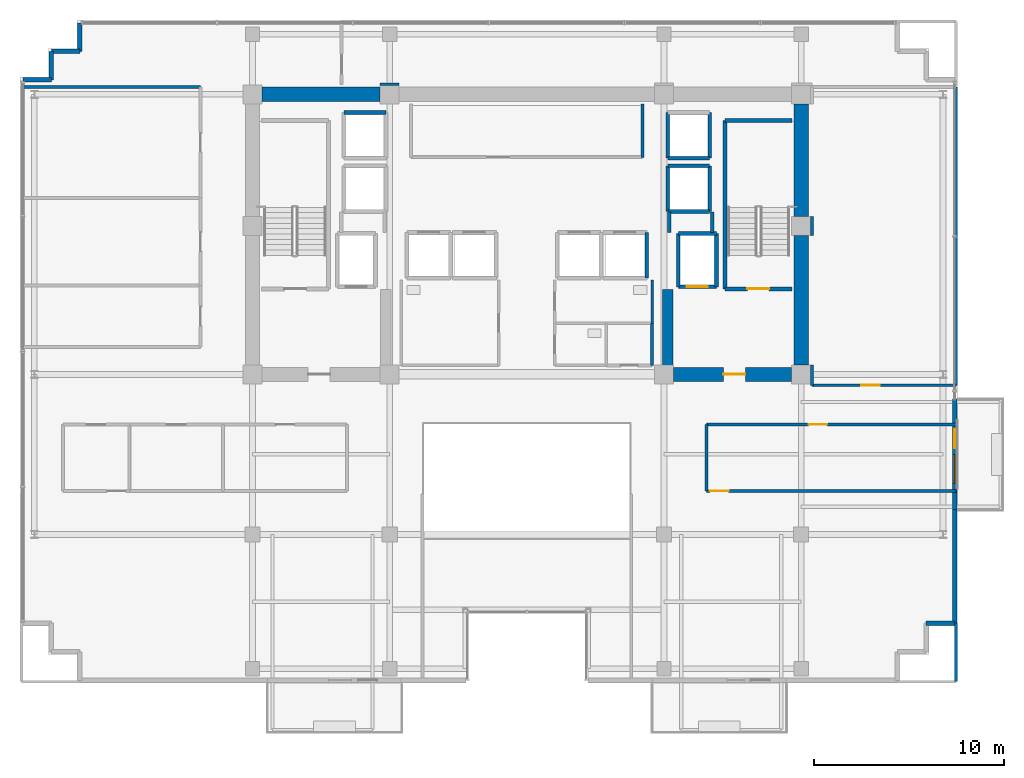
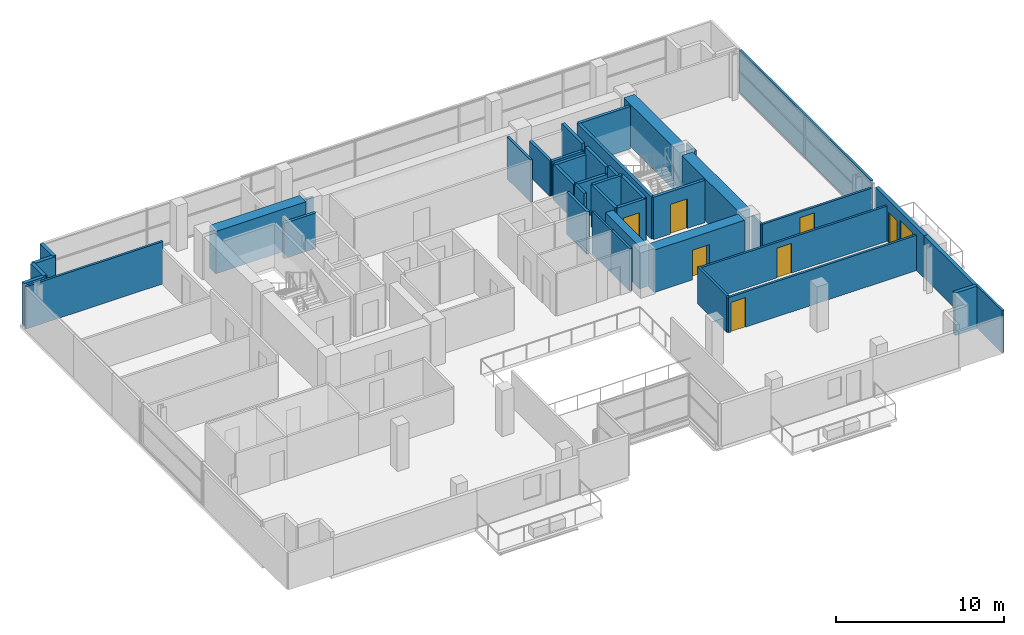
# One storey, part 20 of 25: 43 walls, 7 doors, 1 window, 8 openings.
"""IFC4 building model written with IfcOpenShell, lengths in metres."""

import ifcopenshell
import ifcopenshell.guid

model = None  # the IFC model being written
_history = None  # IfcOwnerHistory: only IFC2X3 demands one
_inside = {}  # id of a spatial element -> (the spatial element, [elements in it])
_under = {}  # id of a project, library or spatial element -> (it, [spatial elements below it])
_declared = {}  # id of a project -> (the project, [libraries it declares])
_typed = {}  # id of a type object -> (the type object, [elements of that type])
_made_of = {}  # id of a material, layer set ... -> (it, [elements and type objects made of it])


def new_model(schema):
    """Start an empty IFC model of exactly this schema.

    Asked for "IFC4X3", IfcOpenShell would pick the latest addendum, in which some entities
    have other attributes; the version numbers below select the first issue.
    IFC2X3 requires an IfcOwnerHistory on every rooted entity: one is made here for all.
    """
    global model, _history
    if schema == "IFC4X3":
        model = ifcopenshell.file(schema_version=(4, 3, 0, 0))
    else:
        model = ifcopenshell.file(schema=schema)
    _inside.clear()
    _under.clear()
    _declared.clear()
    _typed.clear()
    _made_of.clear()
    _history = None
    if model.schema == "IFC2X3":
        org = make("IfcOrganization", Name="unknown")
        user = make(
            "IfcPersonAndOrganization",
            ThePerson=make("IfcPerson", FamilyName="unknown"),
            TheOrganization=org,
        )
        app = make(
            "IfcApplication",
            ApplicationDeveloper=org,
            Version="unknown",
            ApplicationFullName="unknown",
            ApplicationIdentifier="unknown",
        )
        _history = make(
            "IfcOwnerHistory",
            OwningUser=user,
            OwningApplication=app,
            ChangeAction="ADDED",
            CreationDate=0,
        )
    return model


def make(cls, **values):
    """One entity of the class cls with the attributes given. An attribute that is None is left unset."""
    return model.create_entity(
        cls, **{name: value for name, value in values.items() if value is not None}
    )


def rooted(cls, **values):
    """An entity with a GlobalId (a new one), such as an element, a storey or a relation."""
    return make(cls, GlobalId=ifcopenshell.guid.new(), OwnerHistory=_history, **values)


def si_unit(unit_type, name, prefix=None):
    """IfcSIUnit, for example si_unit("LENGTHUNIT", "METRE", prefix="MILLI")."""
    return make("IfcSIUnit", UnitType=unit_type, Prefix=prefix, Name=name)


def assignment(units):
    """IfcUnitAssignment: the units of a project."""
    return None if units is None else make("IfcUnitAssignment", Units=units)


def point(xyz):
    """IfcCartesianPoint."""
    return None if xyz is None else make("IfcCartesianPoint", Coordinates=xyz)


def direction(xyz):
    """IfcDirection."""
    return None if xyz is None else make("IfcDirection", DirectionRatios=xyz)


def frame(location, z_axis=None, x_axis=None):
    """IfcAxis2Placement3D, a coordinate frame: its origin and axes. An axis left out is left unset."""
    return make(
        "IfcAxis2Placement3D",
        Location=point(location),
        Axis=direction(z_axis),
        RefDirection=direction(x_axis),
    )


def frame_2d(location, x_axis=None):
    """IfcAxis2Placement2D, a coordinate frame in the plane: its origin and x axis."""
    return make(
        "IfcAxis2Placement2D", Location=point(location), RefDirection=direction(x_axis)
    )


def origin():
    """The frame at (0, 0, 0) with its axes left unset."""
    return frame((0.0, 0.0, 0.0))


def place(relative_to, where):
    """IfcLocalPlacement: puts the frame where relative to a parent placement (None: the world)."""
    return make(
        "IfcLocalPlacement", PlacementRelTo=relative_to, RelativePlacement=where
    )


def context(
    kind, dimensions, precision=None, world=None, true_north=None, identifier=None
):
    """IfcGeometricRepresentationContext, for example the 3D "Model" context."""
    return make(
        "IfcGeometricRepresentationContext",
        ContextIdentifier=identifier,
        ContextType=kind,
        CoordinateSpaceDimension=dimensions,
        Precision=precision,
        WorldCoordinateSystem=world,
        TrueNorth=true_north,
    )


def subcontext(parent, identifier, kind, view, scale=None):
    """IfcGeometricRepresentationSubContext, for example "Body" below "Model"."""
    return make(
        "IfcGeometricRepresentationSubContext",
        ContextIdentifier=identifier,
        ContextType=kind,
        ParentContext=parent,
        TargetScale=scale,
        TargetView=view,
    )


def project(units=None, contexts=None):
    """IfcProject with its units and contexts."""
    return rooted(
        "IfcProject",
        Name="project",
        RepresentationContexts=contexts,
        UnitsInContext=assignment(units),
    )


def spatial(cls, under=None, at=None, **own):
    """A site, building, storey or space (cls), placed at a placement, below another one or the project."""
    s = rooted(cls, ObjectPlacement=at, **own)
    if under is not None:
        _under.setdefault(under.id(), (under, []))[1].append(s)
    return s


def profile(cls, at=None, kind="AREA", **sizes):
    """A parametric profile (cls). Its sizes go by their IFC names, for example OverallWidth=200.0."""
    return make(cls, ProfileType=kind, Position=at, **sizes)


def rectangle(**sizes):
    """IfcRectangleProfileDef."""
    return profile("IfcRectangleProfileDef", **sizes)


def extrude(swept, where, along, depth):
    """IfcExtrudedAreaSolid: the profile swept, set in the frame where, extruded along a direction by depth."""
    return make(
        "IfcExtrudedAreaSolid",
        SweptArea=swept,
        Position=where,
        ExtrudedDirection=direction(along),
        Depth=depth,
    )


def shape(context_of_items, identifier, shape_type, items):
    """IfcShapeRepresentation: the items that make up one representation, for example the "Body"."""
    return make(
        "IfcShapeRepresentation",
        ContextOfItems=context_of_items,
        RepresentationIdentifier=identifier,
        RepresentationType=shape_type,
        Items=items,
    )


def source(mapping_origin, context_of_items, identifier, shape_type, items):
    """IfcRepresentationMap: a shape defined once, which mapped items show again and again."""
    return make(
        "IfcRepresentationMap",
        MappingOrigin=mapping_origin,
        MappedRepresentation=shape(context_of_items, identifier, shape_type, items),
    )


def transform(
    local_origin,
    x_axis=None,
    y_axis=None,
    z_axis=None,
    scale=None,
    scale2=None,
    scale3=None,
    uniform=True,
):
    """IfcCartesianTransformationOperator3D, or its non-uniform kind. x_axis, y_axis, z_axis: its Axis1, 2, 3."""
    if uniform:
        return make(
            "IfcCartesianTransformationOperator3D",
            Axis1=direction(x_axis),
            Axis2=direction(y_axis),
            LocalOrigin=point(local_origin),
            Scale=scale,
            Axis3=direction(z_axis),
        )
    return make(
        "IfcCartesianTransformationOperator3DnonUniform",
        Axis1=direction(x_axis),
        Axis2=direction(y_axis),
        LocalOrigin=point(local_origin),
        Scale=scale,
        Axis3=direction(z_axis),
        Scale2=scale2,
        Scale3=scale3,
    )


def mapped(mapping_source, mapping_target):
    """IfcMappedItem: shows the shape of a source again, moved by a transform."""
    return make(
        "IfcMappedItem", MappingSource=mapping_source, MappingTarget=mapping_target
    )


def material(Name=None, Category=None):
    """IfcMaterial."""
    return make("IfcMaterial", Name=Name, Category=Category)


def layer(
    of_material, thickness, ventilated=None, Name=None, Category=None, Priority=None
):
    """IfcMaterialLayer: one layer of a wall or slab, of a material (None: an air gap)."""
    return make(
        "IfcMaterialLayer",
        Material=of_material,
        LayerThickness=thickness,
        IsVentilated=ventilated,
        Name=Name,
        Category=Category,
        Priority=Priority,
    )


def layer_set(layers, Name=None):
    """IfcMaterialLayerSet."""
    return make("IfcMaterialLayerSet", MaterialLayers=layers, LayerSetName=Name)


def made_of(thing, what):
    """Note that an element or type object is made of a material, layer set ...; save() writes the relation."""
    if what is not None:
        _made_of.setdefault(what.id(), (what, []))[1].append(thing)
    return thing


def type_object(cls, material=None, **own):
    """A type object (cls), such as IfcWallType, which elements share."""
    return made_of(rooted(cls, **own), material)


def element(
    cls,
    number,
    at=None,
    inside=None,
    cuts=None,
    type_object=None,
    material=None,
    context=None,
    identifier="Body",
    shape_type=None,
    held_by="IfcProductDefinitionShape",
    body=None,
    shapes=None,
    **own,
):
    """One element of the class cls, such as IfcWall. Its Tag is "e" and its number.

    at: its placement. inside: the storey or other place that contains it. cuts: it is an
    opening in that element (IfcRelVoidsElement). A single representation is given by context,
    identifier, shape_type and body (its items); several are given by shapes. held_by: the class
    of the entity that holds the representations. save() writes the other relations.
    """
    e = rooted(cls, Tag="e%d" % number, ObjectPlacement=at, **own)
    if body is not None:
        shapes = [shape(context, identifier, shape_type, body)]
    if shapes is not None:
        e.Representation = make(held_by, Representations=shapes)
    if inside is not None:
        _inside.setdefault(inside.id(), (inside, []))[1].append(e)
    if cuts is not None:
        rooted(
            "IfcRelVoidsElement", RelatingBuildingElement=cuts, RelatedOpeningElement=e
        )
    if type_object is not None:
        _typed.setdefault(type_object.id(), (type_object, []))[1].append(e)
    return made_of(e, material)


def fill(opening, filler):
    """IfcRelFillsElement: the door or window that sits in an opening."""
    return rooted(
        "IfcRelFillsElement",
        RelatingOpeningElement=opening,
        RelatedBuildingElement=filler,
    )


def aggregate(whole, parts):
    """IfcRelAggregates: a whole, such as a stair, and the parts it consists of."""
    return rooted("IfcRelAggregates", RelatingObject=whole, RelatedObjects=parts)


def save(model, path):
    """Write the relations noted so far, then the file.

    IfcRelAggregates (storeys below a building ...), IfcRelContainedInSpatialStructure (elements
    in a storey), IfcRelDefinesByType, IfcRelAssociatesMaterial and IfcRelDeclares: one each for
    every whole, place, type object, material and project.
    """
    for whole, parts in _under.values():
        aggregate(whole, parts)
    for where, things in _inside.values():
        rooted(
            "IfcRelContainedInSpatialStructure",
            RelatedElements=things,
            RelatingStructure=where,
        )
    for kind, things in _typed.values():
        rooted("IfcRelDefinesByType", RelatedObjects=things, RelatingType=kind)
    for what, things in _made_of.values():
        rooted("IfcRelAssociatesMaterial", RelatedObjects=things, RelatingMaterial=what)
    for by, libraries in _declared.values():
        rooted("IfcRelDeclares", RelatingContext=by, RelatedDefinitions=libraries)
    model.write(path)


model = new_model("IFC4")

# Units and contexts
model_context = context("Model", 3, precision=1e-05, world=origin(), true_north=direction((0.0, 1.0)))
body_context = subcontext(model_context, "Body", "Model", "MODEL_VIEW")
ifc_project = project(units=[si_unit("LENGTHUNIT", "METRE"), si_unit("AREAUNIT", "SQUARE_METRE"), si_unit("VOLUMEUNIT", "CUBIC_METRE"), si_unit("PLANEANGLEUNIT", "RADIAN"), si_unit("MASSUNIT", "GRAM", prefix="KILO")], contexts=[model_context])

# Site, building, storey
site_placement = place(None, origin())
site = spatial("IfcSite", under=ifc_project, at=site_placement, CompositionType="ELEMENT")
building_placement = place(site_placement, origin())
building = spatial("IfcBuilding", under=site, at=building_placement, Name="Zarnakvel Exchange Tower", CompositionType="ELEMENT")
storey_placement = place(building_placement, frame((0.0, 0.0, 162.699951171875)))
storey = spatial("IfcBuildingStorey", under=building, at=storey_placement, Name="L45", CompositionType="ELEMENT", Elevation=162.699951171875)

# Walls
ifc_material_1 = material(Name="Concrete C60/75", Category="concrete")
ifc_layer_1 = layer(ifc_material_1, 0.75)
ifc_layer_set_1 = layer_set([ifc_layer_1], Name="Concrete C60/75")
wall_type_1 = type_object("IfcWallType", Name="CW-C3", PredefinedType="SHEAR", material=ifc_layer_set_1)
wall_1_placement = place(storey_placement, frame((-13.89990234375, 13.5, 0.0), z_axis=(0.0, 0.0, 1.0), x_axis=(1.0, 0.0, 0.0)))
element("IfcWall", 1, at=wall_1_placement, inside=storey, type_object=wall_type_1, Name="L45 Rear Core Shear Wall N1 (CW-C3)", PredefinedType="SHEAR", context=body_context, shape_type="SweptSolid", body=[
    extrude(rectangle(XDim=6.199951171875, YDim=0.75, at=frame_2d((3.10009765625, 0.0))), origin(), (0.0, 0.0, 1.0), 3.074951171875),
])
wall_2_placement = place(storey_placement, frame((14.39990234375, -0.699951171875, 0.0), z_axis=(0.0, 0.0, 1.0), x_axis=(0.0, 1.0, 0.0)))
element("IfcWall", 2, at=wall_2_placement, inside=storey, type_object=wall_type_1, Name="L45 Rear Core Shear Wall E1 (CW-C3)", PredefinedType="SHEAR", context=body_context, shape_type="SweptSolid", body=[
    extrude(rectangle(XDim=6.800048828125, YDim=0.75, at=frame_2d((3.39990234375, 0.0))), origin(), (0.0, 0.0, 1.0), 3.074951171875),
])
wall_3_placement = place(storey_placement, frame((14.39990234375, 7.10009765625, 0.0), z_axis=(0.0, 0.0, 1.0), x_axis=(0.0, 1.0, 0.0)))
element("IfcWall", 3, at=wall_3_placement, inside=storey, type_object=wall_type_1, Name="L45 Rear Core Shear Wall E2 (CW-C3)", PredefinedType="SHEAR", context=body_context, shape_type="SweptSolid", body=[
    extrude(rectangle(XDim=5.89990234375, YDim=0.75, at=frame_2d((2.949951171875, 0.0))), origin(), (0.0, 0.0, 1.0), 3.074951171875),
])

# Wall, opening, door
wall_4_placement = place(storey_placement, frame((13.89990234375, -1.199951171875, 0.0), z_axis=(0.0, 0.0, 1.0), x_axis=(-1.0, 0.0, 0.0)))
wall_4 = element("IfcWall", 4, at=wall_4_placement, inside=storey, type_object=wall_type_1, Name="L45 Rear Core Shear Wall SE (CW-C3)", PredefinedType="SHEAR", context=body_context, shape_type="SweptSolid", body=[
    extrude(rectangle(XDim=6.199951171875, YDim=0.75, at=frame_2d((3.10009765625, 0.0))), origin(), (0.0, 0.0, 1.0), 3.074951171875),
])
opening_1_placement = place(wall_4_placement, frame((2.425048828125, 0.0, 0.0)))
opening_1 = element("IfcOpeningElement", 5, at=opening_1_placement, cuts=wall_4, Name="Opening D-L45-04", PredefinedType="OPENING", context=body_context, shape_type="SweptSolid", body=[
    extrude(rectangle(XDim=1.14990234375, YDim=2.14990234375, at=frame_2d((0.574951171875, 1.074951171875))), frame((0.0, 0.385009765625, 0.0), z_axis=(0.0, -1.0, 0.0), x_axis=(1.0, 0.0, 0.0)), (0.0, 0.0, 1.0), 0.77001953125),
])
ifc_material_2 = material(Name="Painted Galvanised Steel S355", Category="steel")
door_type_1 = type_object("IfcDoorType", Name="DT-04", OperationType="NOTDEFINED", PredefinedType="DOOR", material=ifc_material_2)
shared_shape_1 = source(origin(), body_context, "Body", "SweptSolid", [
    extrude(rectangle(XDim=1.14990234375, YDim=2.14990234375, at=frame_2d((0.574951171875, 1.074951171875))), frame((0.0, 0.02490234375, 0.0), z_axis=(0.0, -1.0, 0.0), x_axis=(1.0, 0.0, 0.0)), (0.0, 0.0, 1.0), 0.050048828125),
])
door_1_placement = place(opening_1_placement, origin())
door_1 = element("IfcDoor", 6, at=door_1_placement, inside=storey, type_object=door_type_1, Name="L45 Firefighting Lobby East Door D-L45-04", OperationType="SINGLE_SWING_LEFT", OverallHeight=2.14990234375, OverallWidth=1.14990234375, PredefinedType="DOOR", context=body_context, shape_type="MappedRepresentation", body=[
    mapped(shared_shape_1, transform((0.0, 0.0, 0.0), x_axis=(1.0, 0.0, 0.0), y_axis=(0.0, 1.0, 0.0), z_axis=(0.0, 0.0, 1.0), scale=1.0)),
])
fill(opening_1, door_1)

# Wall
ifc_layer_2 = layer(ifc_material_1, 0.550048828125)
ifc_layer_set_2 = layer_set([ifc_layer_2], Name="Concrete C60/75")
wall_type_2 = type_object("IfcWallType", Name="CW-C4", PredefinedType="SHEAR", material=ifc_layer_set_2)
wall_5_placement = place(storey_placement, frame((7.39990234375, -0.824951171875, 0.0), z_axis=(0.0, 0.0, 1.0), x_axis=(0.0, 1.0, 0.0)))
element("IfcWall", 7, at=wall_5_placement, inside=storey, type_object=wall_type_2, Name="L45 Rear Core Shear Wall IE (CW-C4)", PredefinedType="SHEAR", context=body_context, shape_type="SweptSolid", body=[
    extrude(rectangle(XDim=4.074951171875, YDim=0.550048828125, at=frame_2d((2.03759765625, 0.0))), origin(), (0.0, 0.0, 1.0), 3.074951171875),
])

# Wall, openings, door, window
ifc_material_3 = material(Name="Precast concrete C40/50", Category="concrete")
ifc_layer_3 = layer(ifc_material_3, 0.239990234375)
ifc_layer_set_3 = layer_set([ifc_layer_3], Name="Precast concrete C40/50")
wall_type_3 = type_object("IfcWallType", Name="EW-02", PredefinedType="SOLIDWALL", material=ifc_layer_set_3)
wall_6_placement = place(storey_placement, frame((22.4599609375, -2.5, 0.0), z_axis=(0.0, 0.0, 1.0), x_axis=(0.0, -1.0, 0.0)))
wall_6 = element("IfcWall", 8, at=wall_6_placement, inside=storey, type_object=wall_type_3, Name="L45 Exterior Precast Spandrel Wall EW-BAL-L45-E (EW-02)", PredefinedType="SOLIDWALL", context=body_context, shape_type="SweptSolid", body=[
    extrude(rectangle(XDim=5.800048828125, YDim=0.239990234375, at=frame_2d((2.89990234375, 0.0))), origin(), (0.0, 0.0, 1.0), 3.074951171875),
])
opening_2_placement = place(wall_6_placement, frame((1.56591796875, 0.0, 0.0)))
opening_2 = element("IfcOpeningElement", 9, at=opening_2_placement, cuts=wall_6, Name="Opening BD-L45-03", PredefinedType="OPENING", context=body_context, shape_type="SweptSolid", body=[
    extrude(rectangle(XDim=1.0, YDim=2.199951171875, at=frame_2d((0.5, 1.10009765625))), frame((0.0, 0.1298828125, 0.0), z_axis=(0.0, -1.0, 0.0), x_axis=(1.0, 0.0, 0.0)), (0.0, 0.0, 1.0), 0.260009765625),
])
opening_3_placement = place(wall_6_placement, frame((2.916015625, 0.0, 0.85009765625)))
opening_3 = element("IfcOpeningElement", 10, at=opening_3_placement, cuts=wall_6, Name="Opening WN-03", PredefinedType="OPENING", context=body_context, shape_type="SweptSolid", body=[
    extrude(rectangle(XDim=1.5, YDim=1.60009765625, at=frame_2d((0.75, 0.800048828125))), frame((0.0, 0.1298828125, 0.0), z_axis=(0.0, -1.0, 0.0), x_axis=(1.0, 0.0, 0.0)), (0.0, 0.0, 1.0), 0.260009765625),
])
ifc_material_4 = material(Name="Architectural Bronze Anodised Aluminium", Category="aluminium")
door_type_2 = type_object("IfcDoorType", Name="DT-09", OperationType="NOTDEFINED", PredefinedType="DOOR", material=ifc_material_4)
shared_shape_2 = source(origin(), body_context, "Body", "SweptSolid", [
    extrude(rectangle(XDim=1.0, YDim=2.199951171875, at=frame_2d((0.5, 1.10009765625))), frame((0.0, 0.02490234375, 0.0), z_axis=(0.0, -1.0, 0.0), x_axis=(1.0, 0.0, 0.0)), (0.0, 0.0, 1.0), 0.050048828125),
])
door_2_placement = place(opening_2_placement, origin())
door_2 = element("IfcDoor", 11, at=door_2_placement, inside=storey, type_object=door_type_2, Name="L45 Planted Loggia Balcony Door BD-L45-03", OperationType="SINGLE_SWING_LEFT", OverallHeight=2.199951171875, OverallWidth=1.0, PredefinedType="DOOR", context=body_context, shape_type="MappedRepresentation", body=[
    mapped(shared_shape_2, transform((0.0, 0.0, 0.0), x_axis=(1.0, 0.0, 0.0), y_axis=(0.0, 1.0, 0.0), z_axis=(0.0, 0.0, 1.0), scale=1.0)),
])
fill(opening_2, door_2)
ifc_material_5 = material(Name="Double Low-E Laminated Vision Glass", Category="glass")
window_type = type_object("IfcWindowType", Name="WN-03", PartitioningType="SINGLE_PANEL", PredefinedType="WINDOW", material=ifc_material_5)
shared_shape_3 = source(origin(), body_context, "Body", "SweptSolid", [
    extrude(rectangle(XDim=1.5, YDim=1.60009765625, at=frame_2d((0.75, 0.800048828125))), frame((0.0, 0.030029296875, 0.0), z_axis=(0.0, -1.0, 0.0), x_axis=(1.0, 0.0, 0.0)), (0.0, 0.0, 1.0), 0.06005859375),
])
window_placement = place(opening_3_placement, origin())
window = element("IfcWindow", 12, at=window_placement, inside=storey, type_object=window_type, Name="L45 Loggia Daylight Window (WN-03)", OverallHeight=1.60009765625, OverallWidth=1.5, PartitioningType="SINGLE_PANEL", PredefinedType="WINDOW", context=body_context, shape_type="MappedRepresentation", body=[
    mapped(shared_shape_3, transform((0.0, 0.0, 0.0), x_axis=(1.0, 0.0, 0.0), y_axis=(0.0, 1.0, 0.0), z_axis=(0.0, 0.0, 1.0), scale=1.0)),
])
fill(opening_3, window)

# Walls
for number, where, z_axis, x_axis, name in (
    (13, (-24.9599609375, 14.260009765625, 0.0), (0.0, 0.0, 1.0), (-1.0, 0.0, 0.0), "L45 Exterior Precast Spandrel Wall EWC-L45-01 (EW-02)"),
    (14, (-24.9599609375, 15.760009765625, 0.0), (0.0, 0.0, 1.0), (0.0, -1.0, 0.0), "L45 Exterior Precast Spandrel Wall EWC-L45-02 (EW-02)"),
    (15, (-23.4599609375, 15.760009765625, 0.0), (0.0, 0.0, 1.0), (-1.0, 0.0, 0.0), "L45 Exterior Precast Spandrel Wall EWC-L45-03 (EW-02)"),
    (16, (-23.4599609375, 17.260009765625, 0.0), (0.0, 0.0, 1.0), (0.0, -1.0, 0.0), "L45 Exterior Precast Spandrel Wall EWC-L45-04 (EW-02)"),
):
    element("IfcWall", number, at=place(storey_placement, frame(where, z_axis=z_axis, x_axis=x_axis)), inside=storey, type_object=wall_type_3, Name=name, PredefinedType="SOLIDWALL", context=body_context, shape_type="SweptSolid", body=[
        extrude(rectangle(XDim=1.5, YDim=0.239990234375, at=frame_2d((0.75, 0.0))), origin(), (0.0, 0.0, 1.0), 3.074951171875),
    ])
wall_7_placement = place(storey_placement, frame((22.4599609375, -14.260009765625, 0.0), z_axis=(0.0, 0.0, 1.0), x_axis=(0.0, 1.0, 0.0)))
element("IfcWall", 17, at=wall_7_placement, inside=storey, type_object=wall_type_3, Name="L45 Exterior Precast Spandrel Wall EWC-L45-10 (EW-02)", PredefinedType="SOLIDWALL", context=body_context, shape_type="SweptSolid", body=[
    extrude(rectangle(XDim=5.9599609375, YDim=0.239990234375, at=frame_2d((2.97998046875, 0.0))), origin(), (0.0, 0.0, 1.0), 3.074951171875),
])
wall_8_placement = place(storey_placement, frame((20.9599609375, -14.260009765625, 0.0), z_axis=(0.0, 0.0, 1.0), x_axis=(1.0, 0.0, 0.0)))
element("IfcWall", 18, at=wall_8_placement, inside=storey, type_object=wall_type_3, Name="L45 Exterior Precast Spandrel Wall EWC-L45-11 (EW-02)", PredefinedType="SOLIDWALL", context=body_context, shape_type="SweptSolid", body=[
    extrude(rectangle(XDim=1.5, YDim=0.239990234375, at=frame_2d((0.75, 0.0))), origin(), (0.0, 0.0, 1.0), 3.074951171875),
])
ifc_material_6 = material(Name="Fire-Rated Gypsum Stud Partition", Category="gypsum")
ifc_layer_4 = layer(ifc_material_6, 0.14990234375)
ifc_layer_set_4 = layer_set([ifc_layer_4], Name="Fire-Rated Gypsum Stud Partition")
wall_type_4 = type_object("IfcWallType", Name="PT-01", PredefinedType="PARTITIONING", material=ifc_layer_set_4)
wall_9_placement = place(storey_placement, frame((6.080078125, 13.0, 0.0), z_axis=(0.0, 0.0, 1.0), x_axis=(0.0, -1.0, 0.0)))
element("IfcWall", 19, at=wall_9_placement, inside=storey, type_object=wall_type_4, Name="L45 Partition Wall PWALL-L45-013 (PT-01)", PredefinedType="PARTITIONING", context=body_context, shape_type="SweptSolid", body=[
    extrude(rectangle(XDim=2.800048828125, YDim=0.14990234375, at=frame_2d((1.39990234375, 0.0))), origin(), (0.0, 0.0, 1.0), 3.074951171875),
])
wall_10_placement = place(storey_placement, frame((6.580078125, 1.47998046875, 0.0), z_axis=(0.0, 0.0, 1.0), x_axis=(0.0, -1.0, 0.0)))
element("IfcWall", 20, at=wall_10_placement, inside=storey, type_object=wall_type_4, Name="L45 Partition Wall PWALL-L45-024 (PT-01)", PredefinedType="PARTITIONING", context=body_context, shape_type="SweptSolid", body=[
    extrude(rectangle(XDim=2.2099609375, YDim=0.14990234375, at=frame_2d((1.10498046875, 0.0))), origin(), (0.0, 0.0, 1.0), 3.074951171875),
])

# Wall, opening, door
wall_11_placement = place(storey_placement, frame((22.530029296875, -7.320068359375, 0.0), z_axis=(0.0, 0.0, 1.0), x_axis=(-1.0, 0.0, 0.0)))
wall_11 = element("IfcWall", 21, at=wall_11_placement, inside=storey, type_object=wall_type_4, Name="L45 Partition Wall PWALL-L45-038 (PT-01)", PredefinedType="PARTITIONING", context=body_context, shape_type="SweptSolid", body=[
    extrude(rectangle(XDim=13.10009765625, YDim=0.14990234375, at=frame_2d((6.550048828125, 0.0))), origin(), (0.0, 0.0, 1.0), 2.56494140625),
])
opening_4_placement = place(wall_11_placement, frame((11.93994140625, 0.0, 0.0)))
opening_4 = element("IfcOpeningElement", 22, at=opening_4_placement, cuts=wall_11, Name="Opening D-L45-15", PredefinedType="OPENING", context=body_context, shape_type="SweptSolid", body=[
    extrude(rectangle(XDim=0.97998046875, YDim=2.14990234375, at=frame_2d((0.489990234375, 1.074951171875))), frame((0.0, 0.0849609375, 0.0), z_axis=(0.0, -1.0, 0.0), x_axis=(1.0, 0.0, 0.0)), (0.0, 0.0, 1.0), 0.169921875),
])
ifc_material_7 = material(Name="Timber Acoustic Veneer", Category="wood")
door_type_3 = type_object("IfcDoorType", Name="DT-05", OperationType="NOTDEFINED", PredefinedType="DOOR", material=ifc_material_7)
shared_shape_4 = source(origin(), body_context, "Body", "SweptSolid", [
    extrude(rectangle(XDim=0.97998046875, YDim=2.14990234375, at=frame_2d((0.489990234375, 1.074951171875))), frame((0.0, 0.02490234375, 0.0), z_axis=(0.0, -1.0, 0.0), x_axis=(1.0, 0.0, 0.0)), (0.0, 0.0, 1.0), 0.050048828125),
])
door_3_placement = place(opening_4_placement, origin())
door_3 = element("IfcDoor", 23, at=door_3_placement, inside=storey, type_object=door_type_3, Name="L45 Quant Research Office Door D-L45-15", OperationType="SINGLE_SWING_RIGHT", OverallHeight=2.14990234375, OverallWidth=0.97998046875, PredefinedType="DOOR", context=body_context, shape_type="MappedRepresentation", body=[
    mapped(shared_shape_4, transform((0.0, 0.0, 0.0), x_axis=(1.0, 0.0, 0.0), y_axis=(0.0, 1.0, 0.0), z_axis=(0.0, 0.0, 1.0), scale=1.0)),
])
fill(opening_4, door_3)

wall_12_placement = place(storey_placement, frame((9.429931640625, -3.830078125, 0.0), z_axis=(0.0, 0.0, 1.0), x_axis=(1.0, 0.0, 0.0)))
wall_12 = element("IfcWall", 24, at=wall_12_placement, inside=storey, type_object=wall_type_4, Name="L45 Partition Wall PWALL-L45-039 (PT-01)", PredefinedType="PARTITIONING", context=body_context, shape_type="SweptSolid", body=[
    extrude(rectangle(XDim=13.10009765625, YDim=0.14990234375, at=frame_2d((6.550048828125, 0.0))), origin(), (0.0, 0.0, 1.0), 2.56494140625),
])
opening_5_placement = place(wall_12_placement, frame((5.360107421875, 0.0, 0.0)))
opening_5 = element("IfcOpeningElement", 25, at=opening_5_placement, cuts=wall_12, Name="Opening D-L45-14", PredefinedType="OPENING", context=body_context, shape_type="SweptSolid", body=[
    extrude(rectangle(XDim=0.97998046875, YDim=2.14990234375, at=frame_2d((0.489990234375, 1.074951171875))), frame((0.0, 0.0849609375, 0.0), z_axis=(0.0, -1.0, 0.0), x_axis=(1.0, 0.0, 0.0)), (0.0, 0.0, 1.0), 0.169921875),
])
door_4_placement = place(opening_5_placement, origin())
door_4 = element("IfcDoor", 26, at=door_4_placement, inside=storey, type_object=door_type_3, Name="L45 Conference Room Door D-L45-14", OperationType="SINGLE_SWING_LEFT", OverallHeight=2.14990234375, OverallWidth=0.97998046875, PredefinedType="DOOR", context=body_context, shape_type="MappedRepresentation", body=[
    mapped(shared_shape_4, transform((0.0, 0.0, 0.0), x_axis=(1.0, 0.0, 0.0), y_axis=(0.0, 1.0, 0.0), z_axis=(0.0, 0.0, 1.0), scale=1.0)),
])
fill(opening_5, door_4)

# Walls
wall_13_placement = place(storey_placement, frame((9.429931640625, -7.320068359375, 0.0), z_axis=(0.0, 0.0, 1.0), x_axis=(0.0, 1.0, 0.0)))
element("IfcWall", 27, at=wall_13_placement, inside=storey, type_object=wall_type_4, Name="L45 Partition Wall PWALL-L45-040 (PT-01)", PredefinedType="PARTITIONING", context=body_context, shape_type="SweptSolid", body=[
    extrude(rectangle(XDim=3.489990234375, YDim=0.14990234375, at=frame_2d((1.7451171875, 0.0))), origin(), (0.0, 0.0, 1.0), 2.6650390625),
])
wall_14_placement = place(storey_placement, frame((22.530029296875, -14.260009765625, 0.0), z_axis=(0.0, 0.0, 1.0), x_axis=(0.0, -1.0, 0.0)))
element("IfcWall", 28, at=wall_14_placement, inside=storey, type_object=wall_type_4, Name="L45 Partition Wall PWALL-L45-044 (PT-01)", PredefinedType="PARTITIONING", context=body_context, shape_type="SweptSolid", body=[
    extrude(rectangle(XDim=3.070068359375, YDim=0.14990234375, at=frame_2d((1.53515625, 0.0))), origin(), (0.0, 0.0, 1.0), 3.074951171875),
])
wall_15_placement = place(storey_placement, frame((-26.530029296875, 13.8798828125, 0.0), z_axis=(0.0, 0.0, 1.0), x_axis=(1.0, 0.0, 0.0)))
element("IfcWall", 29, at=wall_15_placement, inside=storey, type_object=wall_type_4, Name="L45 Partition Wall PWALL-L45-052 (PT-01)", PredefinedType="PARTITIONING", context=body_context, shape_type="SweptSolid", body=[
    extrude(rectangle(XDim=9.400146484375, YDim=0.14990234375, at=frame_2d((4.7001953125, 0.0))), origin(), (0.0, 0.0, 1.0), 3.074951171875),
])

# Wall, opening, door
wall_16_placement = place(storey_placement, frame((22.530029296875, -1.77001953125, 0.0), z_axis=(0.0, 0.0, 1.0), x_axis=(-1.0, 0.0, 0.0)))
wall_16 = element("IfcWall", 30, at=wall_16_placement, inside=storey, type_object=wall_type_4, Name="L45 Partition Wall PWALL-L45-055 (PT-01)", PredefinedType="PARTITIONING", context=body_context, shape_type="SweptSolid", body=[
    extrude(rectangle(XDim=7.56005859375, YDim=0.14990234375, at=frame_2d((3.780029296875, 0.0))), origin(), (0.0, 0.0, 1.0), 2.56494140625),
])
opening_6_placement = place(wall_16_placement, frame((3.989990234375, 0.0, 0.0)))
opening_6 = element("IfcOpeningElement", 31, at=opening_6_placement, cuts=wall_16, Name="Opening D-L45-19", PredefinedType="OPENING", context=body_context, shape_type="SweptSolid", body=[
    extrude(rectangle(XDim=0.97998046875, YDim=2.14990234375, at=frame_2d((0.489990234375, 1.074951171875))), frame((0.0, 0.0849609375, 0.0), z_axis=(0.0, -1.0, 0.0), x_axis=(1.0, 0.0, 0.0)), (0.0, 0.0, 1.0), 0.169921875),
])
door_5_placement = place(opening_6_placement, origin())
door_5 = element("IfcDoor", 32, at=door_5_placement, inside=storey, type_object=door_type_3, Name="L45 Staff Pantry Door D-L45-19", OperationType="SINGLE_SWING_RIGHT", OverallHeight=2.14990234375, OverallWidth=0.97998046875, PredefinedType="DOOR", context=body_context, shape_type="MappedRepresentation", body=[
    mapped(shared_shape_4, transform((0.0, 0.0, 0.0), x_axis=(1.0, 0.0, 0.0), y_axis=(0.0, 1.0, 0.0), z_axis=(0.0, 0.0, 1.0), scale=1.0)),
])
fill(opening_6, door_5)

# Walls
wall_17_placement = place(storey_placement, frame((14.969970703125, -1.77001953125, 0.0), z_axis=(0.0, 0.0, 1.0), x_axis=(0.0, 1.0, 0.0)))
element("IfcWall", 33, at=wall_17_placement, inside=storey, type_object=wall_type_4, Name="L45 Partition Wall PWALL-L45-057 (PT-01)", PredefinedType="PARTITIONING", context=body_context, shape_type="SweptSolid", body=[
    extrude(rectangle(XDim=1.070068359375, YDim=0.14990234375, at=frame_2d((0.53515625, 0.0))), origin(), (0.0, 0.0, 1.0), 2.56494140625),
])
wall_18_placement = place(storey_placement, frame((14.969970703125, 6.10009765625, 0.0), z_axis=(0.0, 0.0, 1.0), x_axis=(0.0, 1.0, 0.0)))
element("IfcWall", 34, at=wall_18_placement, inside=storey, type_object=wall_type_4, Name="L45 Partition Wall PWALL-L45-058 (PT-01)", PredefinedType="PARTITIONING", context=body_context, shape_type="SweptSolid", body=[
    extrude(rectangle(XDim=1.0, YDim=0.14990234375, at=frame_2d((0.5, 0.0))), origin(), (0.0, 0.0, 1.0), 3.074951171875),
])
wall_19_placement = place(storey_placement, frame((22.530029296875, 13.8798828125, 0.0), z_axis=(0.0, 0.0, 1.0), x_axis=(0.0, -1.0, 0.0)))
element("IfcWall", 35, at=wall_19_placement, inside=storey, type_object=wall_type_4, Name="L45 Partition Wall PWALL-L45-060 (PT-01)", PredefinedType="PARTITIONING", context=body_context, shape_type="SweptSolid", body=[
    extrude(rectangle(XDim=15.64990234375, YDim=0.14990234375, at=frame_2d((7.824951171875, 0.0))), origin(), (0.0, 0.0, 1.0), 3.074951171875),
])
wall_20_placement = place(storey_placement, frame((-6.699951171875, 14.030029296875, 0.0), z_axis=(0.0, 0.0, 1.0), x_axis=(-1.0, 0.0, 0.0)))
element("IfcWall", 36, at=wall_20_placement, inside=storey, type_object=wall_type_4, Name="L45 Partition Wall PWALL-L45-061 (PT-01)", PredefinedType="PARTITIONING", context=body_context, shape_type="SweptSolid", body=[
    extrude(rectangle(XDim=1.0, YDim=0.14990234375, at=frame_2d((0.5, 0.0))), origin(), (0.0, 0.0, 1.0), 2.56494140625),
])
ifc_layer_5 = layer(ifc_material_6, 0.179931640625)
ifc_layer_set_5 = layer_set([ifc_layer_5], Name="Fire-Rated Gypsum Stud Partition")
wall_type_5 = type_object("IfcWallType", Name="PT-02", PredefinedType="PARTITIONING", material=ifc_layer_set_5)
wall_21_placement = place(storey_placement, frame((7.469970703125, 6.239990234375, 0.0), z_axis=(0.0, 0.0, 1.0), x_axis=(0.0, 1.0, 0.0)))
element("IfcWall", 37, at=wall_21_placement, inside=storey, type_object=wall_type_5, Name="L45 Partition Wall PWALL-L45-009 (PT-02)", PredefinedType="PARTITIONING", context=body_context, shape_type="SweptSolid", body=[
    extrude(rectangle(XDim=1.090087890625, YDim=0.179931640625, at=frame_2d((0.544921875, 0.0))), origin(), (0.0, 0.0, 1.0), 2.56494140625),
])
wall_22_placement = place(storey_placement, frame((9.72998046875, 7.330078125, 0.0), z_axis=(0.0, 0.0, 1.0), x_axis=(0.0, -1.0, 0.0)))
element("IfcWall", 38, at=wall_22_placement, inside=storey, type_object=wall_type_5, Name="L45 Partition Wall PWALL-L45-010 (PT-02)", PredefinedType="PARTITIONING", context=body_context, shape_type="SweptSolid", body=[
    extrude(rectangle(XDim=1.090087890625, YDim=0.179931640625, at=frame_2d((0.544921875, 0.0))), origin(), (0.0, 0.0, 1.0), 3.074951171875),
])
ifc_material_8 = material(Name="Moisture-Resistant Tile-Faced Partition", Category="gypsum")
ifc_layer_6 = layer(ifc_material_8, 0.135009765625)
ifc_layer_set_6 = layer_set([ifc_layer_6], Name="Moisture-Resistant Tile-Faced Partition")
wall_type_6 = type_object("IfcWallType", Name="PT-03", PredefinedType="PARTITIONING", material=ifc_layer_set_6)
wall_23_placement = place(storey_placement, frame((6.580078125, 3.760009765625, 0.0), z_axis=(0.0, 0.0, 1.0), x_axis=(0.0, -1.0, 0.0)))
element("IfcWall", 39, at=wall_23_placement, inside=storey, type_object=wall_type_6, Name="L45 Partition Wall PWALL-L45-019 (PT-03)", PredefinedType="PARTITIONING", context=body_context, shape_type="SweptSolid", body=[
    extrude(rectangle(XDim=2.280029296875, YDim=0.135009765625, at=frame_2d((1.14013671875, 0.0))), origin(), (0.0, 0.0, 1.0), 3.074951171875),
])

# Wall, opening, door
ifc_material_9 = material(Name="Concrete C40/50", Category="concrete")
ifc_layer_7 = layer(ifc_material_9, 0.199951171875)
ifc_layer_set_7 = layer_set([ifc_layer_7], Name="Concrete C40/50")
wall_type_7 = type_object("IfcWallType", Name="SW-01", PredefinedType="SOLIDWALL", material=ifc_layer_set_7)
wall_24_placement = place(storey_placement, frame((9.949951171875, 3.39990234375, 0.0), z_axis=(0.0, 0.0, 1.0), x_axis=(-1.0, 0.0, 0.0)))
wall_24 = element("IfcWall", 40, at=wall_24_placement, inside=storey, type_object=wall_type_7, Name="L45 FL-02 Hoistway Wall South", PredefinedType="SOLIDWALL", context=body_context, shape_type="SweptSolid", body=[
    extrude(rectangle(XDim=2.0, YDim=0.199951171875, at=frame_2d((1.0, 0.0))), origin(), (0.0, 0.0, 1.0), 3.074951171875),
])
opening_7_placement = place(wall_24_placement, frame((0.449951171875, 0.0, 0.0)))
opening_7 = element("IfcOpeningElement", 41, at=opening_7_placement, cuts=wall_24, Name="Opening LD-FL-02-L45", PredefinedType="OPENING", context=body_context, shape_type="SweptSolid", body=[
    extrude(rectangle(XDim=1.10009765625, YDim=2.199951171875, at=frame_2d((0.550048828125, 1.10009765625))), frame((0.0, 0.10986328125, 0.0), z_axis=(0.0, -1.0, 0.0), x_axis=(1.0, 0.0, 0.0)), (0.0, 0.0, 1.0), 0.219970703125),
])
ifc_material_10 = material(Name="Brushed Stainless Steel", Category="steel")
door_type_4 = type_object("IfcDoorType", Name="LDT-01", OperationType="NOTDEFINED", PredefinedType="DOOR", material=ifc_material_10)
shared_shape_5 = source(origin(), body_context, "Body", "SweptSolid", [
    extrude(rectangle(XDim=1.10009765625, YDim=2.199951171875, at=frame_2d((0.550048828125, 1.10009765625))), frame((0.0, 0.02490234375, 0.0), z_axis=(0.0, -1.0, 0.0), x_axis=(1.0, 0.0, 0.0)), (0.0, 0.0, 1.0), 0.050048828125),
])
door_6_placement = place(opening_7_placement, origin())
door_6 = element("IfcDoor", 42, at=door_6_placement, inside=storey, type_object=door_type_4, Name="L45 FL-02 Lift Landing Door LD-FL-02-L45", OperationType="DOUBLE_DOOR_SLIDING", OverallHeight=2.199951171875, OverallWidth=1.10009765625, PredefinedType="DOOR", context=body_context, shape_type="MappedRepresentation", body=[
    mapped(shared_shape_5, transform((0.0, 0.0, 0.0), x_axis=(1.0, 0.0, 0.0), y_axis=(0.0, 1.0, 0.0), z_axis=(0.0, 0.0, 1.0), scale=1.0)),
])
fill(opening_7, door_6)

# Walls
wall_25_placement = place(storey_placement, frame((7.949951171875, 6.199951171875, 0.0), z_axis=(0.0, 0.0, 1.0), x_axis=(1.0, 0.0, 0.0)))
element("IfcWall", 43, at=wall_25_placement, inside=storey, type_object=wall_type_7, Name="L45 FL-02 Hoistway Wall North", PredefinedType="SOLIDWALL", context=body_context, shape_type="SweptSolid", body=[
    extrude(rectangle(XDim=2.0, YDim=0.199951171875, at=frame_2d((1.0, 0.0))), origin(), (0.0, 0.0, 1.0), 3.074951171875),
])
for number, where, z_axis, x_axis, name in (
    (44, (7.949951171875, 3.39990234375, 0.0), (0.0, 0.0, 1.0), (0.0, 1.0, 0.0), "L45 FL-02 Hoistway Wall West"),
    (45, (9.949951171875, 6.199951171875, 0.0), (0.0, 0.0, 1.0), (0.0, -1.0, 0.0), "L45 FL-02 Hoistway Wall East"),
):
    element("IfcWall", number, at=place(storey_placement, frame(where, z_axis=z_axis, x_axis=x_axis)), inside=storey, type_object=wall_type_7, Name=name, PredefinedType="SOLIDWALL", context=body_context, shape_type="SweptSolid", body=[
        extrude(rectangle(XDim=2.800048828125, YDim=0.199951171875, at=frame_2d((1.39990234375, 0.0))), origin(), (0.0, 0.0, 1.0), 3.074951171875),
    ])
wall_26_placement = place(storey_placement, frame((6.300048828125, 6.25, 0.0), z_axis=(0.0, 0.0, 1.0), x_axis=(0.0, -1.0, 0.0)))
element("IfcWall", 46, at=wall_26_placement, inside=storey, type_object=wall_type_7, Name="L45 PL-08 Hoistway Wall East", PredefinedType="SOLIDWALL", context=body_context, shape_type="SweptSolid", body=[
    extrude(rectangle(XDim=2.39990234375, YDim=0.199951171875, at=frame_2d((1.199951171875, 0.0))), origin(), (0.0, 0.0, 1.0), 3.074951171875),
])
for number, where, z_axis, x_axis, name in (
    (47, (-9.60009765625, 12.550048828125, 0.0), (0.0, 0.0, 1.0), (1.0, 0.0, 0.0), "L45 PL-10 Hoistway Wall North"),
    (48, (9.60009765625, 7.35009765625, 0.0), (0.0, 0.0, 1.0), (-1.0, 0.0, 0.0), "L45 PL-11 Hoistway Wall South"),
    (49, (7.39990234375, 9.75, 0.0), (0.0, 0.0, 1.0), (1.0, 0.0, 0.0), "L45 PL-11 Hoistway Wall North"),
):
    element("IfcWall", number, at=place(storey_placement, frame(where, z_axis=z_axis, x_axis=x_axis)), inside=storey, type_object=wall_type_7, Name=name, PredefinedType="SOLIDWALL", context=body_context, shape_type="SweptSolid", body=[
        extrude(rectangle(XDim=2.2001953125, YDim=0.199951171875, at=frame_2d((1.10009765625, 0.0))), origin(), (0.0, 0.0, 1.0), 2.56494140625),
    ])
wall_27_placement = place(storey_placement, frame((7.39990234375, 7.35009765625, 0.0), z_axis=(0.0, 0.0, 1.0), x_axis=(0.0, 1.0, 0.0)))
element("IfcWall", 50, at=wall_27_placement, inside=storey, type_object=wall_type_7, Name="L45 PL-11 Hoistway Wall West", PredefinedType="SOLIDWALL", context=body_context, shape_type="SweptSolid", body=[
    extrude(rectangle(XDim=2.39990234375, YDim=0.199951171875, at=frame_2d((1.199951171875, 0.0))), origin(), (0.0, 0.0, 1.0), 2.56494140625),
])
wall_28_placement = place(storey_placement, frame((9.60009765625, 9.75, 0.0), z_axis=(0.0, 0.0, 1.0), x_axis=(0.0, -1.0, 0.0)))
element("IfcWall", 51, at=wall_28_placement, inside=storey, type_object=wall_type_7, Name="L45 PL-11 Hoistway Wall East", PredefinedType="SOLIDWALL", context=body_context, shape_type="SweptSolid", body=[
    extrude(rectangle(XDim=2.39990234375, YDim=0.199951171875, at=frame_2d((1.199951171875, 0.0))), origin(), (0.0, 0.0, 1.0), 3.074951171875),
])
wall_29_placement = place(storey_placement, frame((9.60009765625, 10.14990234375, 0.0), z_axis=(0.0, 0.0, 1.0), x_axis=(-1.0, 0.0, 0.0)))
element("IfcWall", 52, at=wall_29_placement, inside=storey, type_object=wall_type_7, Name="L45 PL-12 Hoistway Wall South", PredefinedType="SOLIDWALL", context=body_context, shape_type="SweptSolid", body=[
    extrude(rectangle(XDim=2.2001953125, YDim=0.199951171875, at=frame_2d((1.10009765625, 0.0))), origin(), (0.0, 0.0, 1.0), 2.56494140625),
])
wall_30_placement = place(storey_placement, frame((7.39990234375, 10.14990234375, 0.0), z_axis=(0.0, 0.0, 1.0), x_axis=(0.0, 1.0, 0.0)))
element("IfcWall", 53, at=wall_30_placement, inside=storey, type_object=wall_type_7, Name="L45 PL-12 Hoistway Wall West", PredefinedType="SOLIDWALL", context=body_context, shape_type="SweptSolid", body=[
    extrude(rectangle(XDim=2.400146484375, YDim=0.199951171875, at=frame_2d((1.2001953125, 0.0))), origin(), (0.0, 0.0, 1.0), 2.56494140625),
])
wall_31_placement = place(storey_placement, frame((9.60009765625, 12.550048828125, 0.0), z_axis=(0.0, 0.0, 1.0), x_axis=(0.0, -1.0, 0.0)))
element("IfcWall", 54, at=wall_31_placement, inside=storey, type_object=wall_type_7, Name="L45 PL-12 Hoistway Wall East", PredefinedType="SOLIDWALL", context=body_context, shape_type="SweptSolid", body=[
    extrude(rectangle(XDim=2.400146484375, YDim=0.199951171875, at=frame_2d((1.2001953125, 0.0))), origin(), (0.0, 0.0, 1.0), 3.074951171875),
])

# Wall, opening, door
ifc_layer_8 = layer(ifc_material_9, 0.199951171875)
ifc_layer_set_8 = layer_set([ifc_layer_8], Name="Concrete C40/50")
wall_type_8 = type_object("IfcWallType", Name="SW-02", PredefinedType="SOLIDWALL", material=ifc_layer_set_8)
wall_32_placement = place(storey_placement, frame((13.929931640625, 3.2900390625, 0.0), z_axis=(0.0, 0.0, 1.0), x_axis=(-1.0, 0.0, 0.0)))
wall_32 = element("IfcWall", 55, at=wall_32_placement, inside=storey, type_object=wall_type_8, Name="L45 Stairwell Core Wall PWALL-L45-004 (SW-02)", PredefinedType="SOLIDWALL", context=body_context, shape_type="SweptSolid", body=[
    extrude(rectangle(XDim=3.52001953125, YDim=0.199951171875, at=frame_2d((1.760009765625, 0.0))), origin(), (0.0, 0.0, 1.0), 3.074951171875),
])
opening_8_placement = place(wall_32_placement, frame((1.205078125, 0.0, 0.0)))
opening_8 = element("IfcOpeningElement", 56, at=opening_8_placement, cuts=wall_32, Name="Opening D-L45-02", PredefinedType="OPENING", context=body_context, shape_type="SweptSolid", body=[
    extrude(rectangle(XDim=1.14990234375, YDim=2.14990234375, at=frame_2d((0.574951171875, 1.074951171875))), frame((0.0, 0.10986328125, 0.0), z_axis=(0.0, -1.0, 0.0), x_axis=(1.0, 0.0, 0.0)), (0.0, 0.0, 1.0), 0.219970703125),
])
door_7_placement = place(opening_8_placement, origin())
door_7 = element("IfcDoor", 57, at=door_7_placement, inside=storey, type_object=door_type_1, Name="L45 Stairwell ST-02 Door D-L45-02", OperationType="SINGLE_SWING_LEFT", OverallHeight=2.14990234375, OverallWidth=1.14990234375, PredefinedType="DOOR", context=body_context, shape_type="MappedRepresentation", body=[
    mapped(shared_shape_1, transform((0.0, 0.0, 0.0), x_axis=(1.0, 0.0, 0.0), y_axis=(0.0, 1.0, 0.0), z_axis=(0.0, 0.0, 1.0), scale=1.0)),
])
fill(opening_8, door_7)

# Walls
wall_33_placement = place(storey_placement, frame((10.409912109375, 12.1298828125, 0.0), z_axis=(0.0, 0.0, 1.0), x_axis=(1.0, 0.0, 0.0)))
element("IfcWall", 58, at=wall_33_placement, inside=storey, type_object=wall_type_8, Name="L45 Stairwell Core Wall PWALL-L45-005 (SW-02)", PredefinedType="SOLIDWALL", context=body_context, shape_type="SweptSolid", body=[
    extrude(rectangle(XDim=3.52001953125, YDim=0.199951171875, at=frame_2d((1.760009765625, 0.0))), origin(), (0.0, 0.0, 1.0), 3.074951171875),
])
wall_34_placement = place(storey_placement, frame((10.409912109375, 3.2900390625, 0.0), z_axis=(0.0, 0.0, 1.0), x_axis=(0.0, 1.0, 0.0)))
element("IfcWall", 59, at=wall_34_placement, inside=storey, type_object=wall_type_8, Name="L45 Stairwell Core Wall PWALL-L45-006 (SW-02)", PredefinedType="SOLIDWALL", context=body_context, shape_type="SweptSolid", body=[
    extrude(rectangle(XDim=8.83984375, YDim=0.199951171875, at=frame_2d((4.419921875, 0.0))), origin(), (0.0, 0.0, 1.0), 3.074951171875),
])

save(model, "model.ifc")
